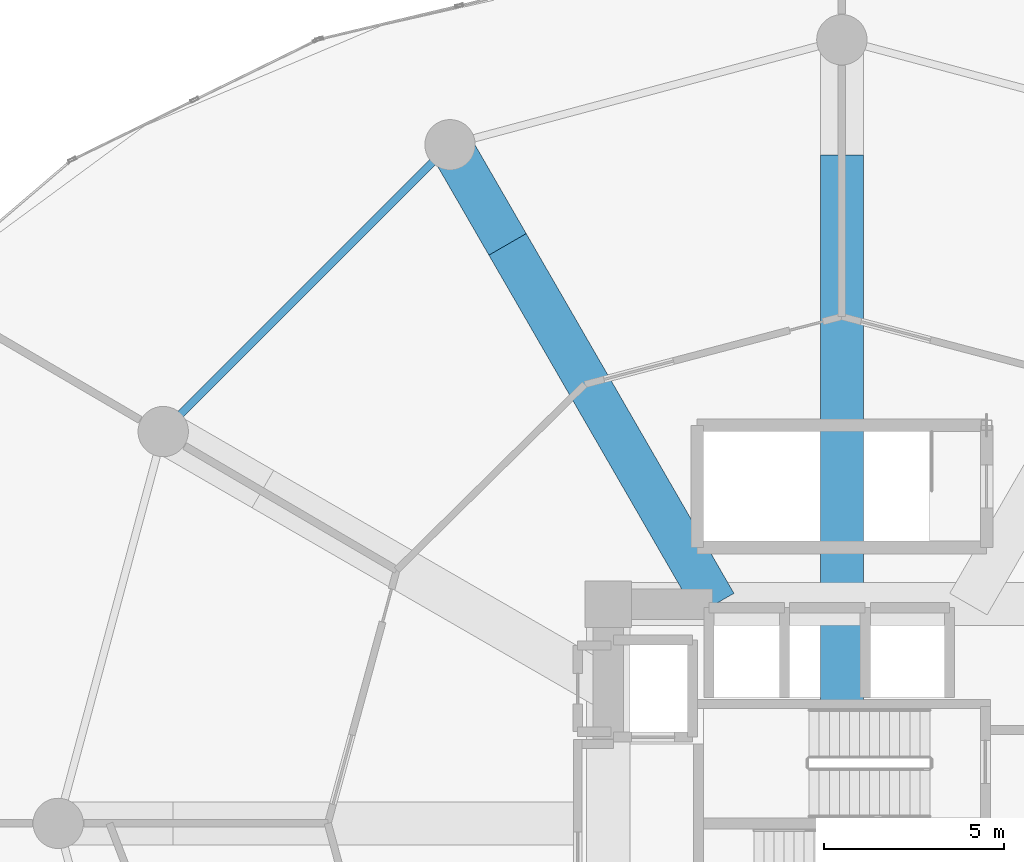
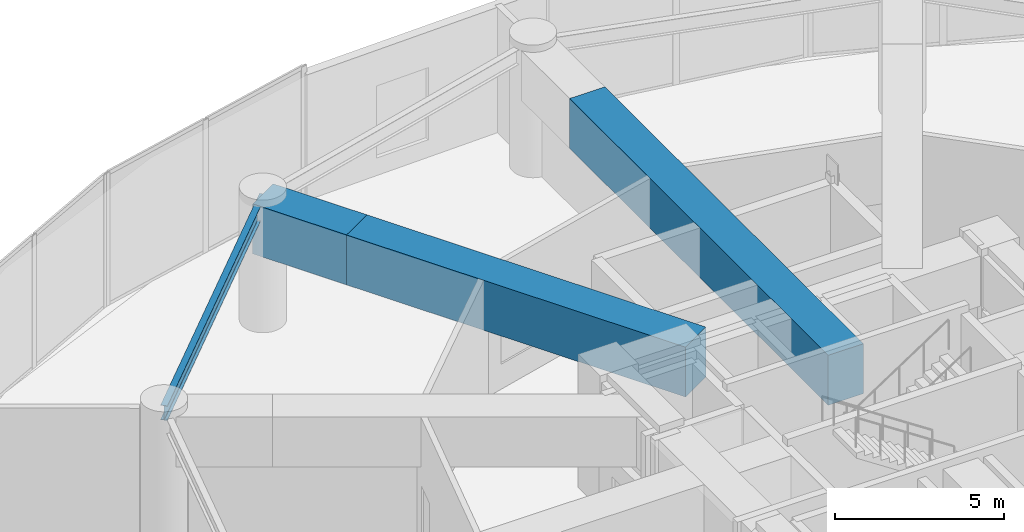
# One storey, part 15 of 27: 4 beams.
"""IFC4 building model written with IfcOpenShell, lengths in metres."""

import ifcopenshell
import ifcopenshell.guid

model = None  # the IFC model being written
_history = None  # IfcOwnerHistory: only IFC2X3 demands one
_inside = {}  # id of a spatial element -> (the spatial element, [elements in it])
_under = {}  # id of a project, library or spatial element -> (it, [spatial elements below it])
_declared = {}  # id of a project -> (the project, [libraries it declares])
_typed = {}  # id of a type object -> (the type object, [elements of that type])
_made_of = {}  # id of a material, layer set ... -> (it, [elements and type objects made of it])


def new_model(schema):
    """Start an empty IFC model of exactly this schema.

    Asked for "IFC4X3", IfcOpenShell would pick the latest addendum, in which some entities
    have other attributes; the version numbers below select the first issue.
    IFC2X3 requires an IfcOwnerHistory on every rooted entity: one is made here for all.
    """
    global model, _history
    if schema == "IFC4X3":
        model = ifcopenshell.file(schema_version=(4, 3, 0, 0))
    else:
        model = ifcopenshell.file(schema=schema)
    _inside.clear()
    _under.clear()
    _declared.clear()
    _typed.clear()
    _made_of.clear()
    _history = None
    if model.schema == "IFC2X3":
        org = make("IfcOrganization", Name="unknown")
        user = make(
            "IfcPersonAndOrganization",
            ThePerson=make("IfcPerson", FamilyName="unknown"),
            TheOrganization=org,
        )
        app = make(
            "IfcApplication",
            ApplicationDeveloper=org,
            Version="unknown",
            ApplicationFullName="unknown",
            ApplicationIdentifier="unknown",
        )
        _history = make(
            "IfcOwnerHistory",
            OwningUser=user,
            OwningApplication=app,
            ChangeAction="ADDED",
            CreationDate=0,
        )
    return model


def make(cls, **values):
    """One entity of the class cls with the attributes given. An attribute that is None is left unset."""
    return model.create_entity(
        cls, **{name: value for name, value in values.items() if value is not None}
    )


def rooted(cls, **values):
    """An entity with a GlobalId (a new one), such as an element, a storey or a relation."""
    return make(cls, GlobalId=ifcopenshell.guid.new(), OwnerHistory=_history, **values)


def si_unit(unit_type, name, prefix=None):
    """IfcSIUnit, for example si_unit("LENGTHUNIT", "METRE", prefix="MILLI")."""
    return make("IfcSIUnit", UnitType=unit_type, Prefix=prefix, Name=name)


def assignment(units):
    """IfcUnitAssignment: the units of a project."""
    return None if units is None else make("IfcUnitAssignment", Units=units)


def point(xyz):
    """IfcCartesianPoint."""
    return None if xyz is None else make("IfcCartesianPoint", Coordinates=xyz)


def direction(xyz):
    """IfcDirection."""
    return None if xyz is None else make("IfcDirection", DirectionRatios=xyz)


def frame(location, z_axis=None, x_axis=None):
    """IfcAxis2Placement3D, a coordinate frame: its origin and axes. An axis left out is left unset."""
    return make(
        "IfcAxis2Placement3D",
        Location=point(location),
        Axis=direction(z_axis),
        RefDirection=direction(x_axis),
    )


def frame_2d(location, x_axis=None):
    """IfcAxis2Placement2D, a coordinate frame in the plane: its origin and x axis."""
    return make(
        "IfcAxis2Placement2D", Location=point(location), RefDirection=direction(x_axis)
    )


def origin():
    """The frame at (0, 0, 0) with its axes left unset."""
    return frame((0.0, 0.0, 0.0))


def origin_2d():
    """The frame at (0, 0) in the plane with its x axis left unset."""
    return frame_2d((0.0, 0.0))


def place(relative_to, where):
    """IfcLocalPlacement: puts the frame where relative to a parent placement (None: the world)."""
    return make(
        "IfcLocalPlacement", PlacementRelTo=relative_to, RelativePlacement=where
    )


def context(
    kind, dimensions, precision=None, world=None, true_north=None, identifier=None
):
    """IfcGeometricRepresentationContext, for example the 3D "Model" context."""
    return make(
        "IfcGeometricRepresentationContext",
        ContextIdentifier=identifier,
        ContextType=kind,
        CoordinateSpaceDimension=dimensions,
        Precision=precision,
        WorldCoordinateSystem=world,
        TrueNorth=true_north,
    )


def subcontext(parent, identifier, kind, view, scale=None):
    """IfcGeometricRepresentationSubContext, for example "Body" below "Model"."""
    return make(
        "IfcGeometricRepresentationSubContext",
        ContextIdentifier=identifier,
        ContextType=kind,
        ParentContext=parent,
        TargetScale=scale,
        TargetView=view,
    )


def project(units=None, contexts=None):
    """IfcProject with its units and contexts."""
    return rooted(
        "IfcProject",
        Name="project",
        RepresentationContexts=contexts,
        UnitsInContext=assignment(units),
    )


def spatial(cls, under=None, at=None, **own):
    """A site, building, storey or space (cls), placed at a placement, below another one or the project."""
    s = rooted(cls, ObjectPlacement=at, **own)
    if under is not None:
        _under.setdefault(under.id(), (under, []))[1].append(s)
    return s


def profile(cls, at=None, kind="AREA", **sizes):
    """A parametric profile (cls). Its sizes go by their IFC names, for example OverallWidth=200.0."""
    return make(cls, ProfileType=kind, Position=at, **sizes)


def rectangle(**sizes):
    """IfcRectangleProfileDef."""
    return profile("IfcRectangleProfileDef", **sizes)


def i_section(**sizes):
    """IfcIShapeProfileDef."""
    return profile("IfcIShapeProfileDef", **sizes)


def extrude(swept, where, along, depth):
    """IfcExtrudedAreaSolid: the profile swept, set in the frame where, extruded along a direction by depth."""
    return make(
        "IfcExtrudedAreaSolid",
        SweptArea=swept,
        Position=where,
        ExtrudedDirection=direction(along),
        Depth=depth,
    )


def shape(context_of_items, identifier, shape_type, items):
    """IfcShapeRepresentation: the items that make up one representation, for example the "Body"."""
    return make(
        "IfcShapeRepresentation",
        ContextOfItems=context_of_items,
        RepresentationIdentifier=identifier,
        RepresentationType=shape_type,
        Items=items,
    )


def material(Name=None, Category=None):
    """IfcMaterial."""
    return make("IfcMaterial", Name=Name, Category=Category)


def material_profile(
    of_material, cross_section, Name=None, Category=None, Priority=None
):
    """IfcMaterialProfile: a cross section and its material."""
    return make(
        "IfcMaterialProfile",
        Name=Name,
        Material=of_material,
        Profile=cross_section,
        Priority=Priority,
        Category=Category,
    )


def profile_set(profiles, Name=None, composite=None):
    """IfcMaterialProfileSet."""
    return make(
        "IfcMaterialProfileSet",
        Name=Name,
        MaterialProfiles=profiles,
        CompositeProfile=composite,
    )


def made_of(thing, what):
    """Note that an element or type object is made of a material, layer set ...; save() writes the relation."""
    if what is not None:
        _made_of.setdefault(what.id(), (what, []))[1].append(thing)
    return thing


def type_object(cls, material=None, **own):
    """A type object (cls), such as IfcWallType, which elements share."""
    return made_of(rooted(cls, **own), material)


def element(
    cls,
    number,
    at=None,
    inside=None,
    cuts=None,
    type_object=None,
    material=None,
    context=None,
    identifier="Body",
    shape_type=None,
    held_by="IfcProductDefinitionShape",
    body=None,
    shapes=None,
    **own,
):
    """One element of the class cls, such as IfcWall. Its Tag is "e" and its number.

    at: its placement. inside: the storey or other place that contains it. cuts: it is an
    opening in that element (IfcRelVoidsElement). A single representation is given by context,
    identifier, shape_type and body (its items); several are given by shapes. held_by: the class
    of the entity that holds the representations. save() writes the other relations.
    """
    e = rooted(cls, Tag="e%d" % number, ObjectPlacement=at, **own)
    if body is not None:
        shapes = [shape(context, identifier, shape_type, body)]
    if shapes is not None:
        e.Representation = make(held_by, Representations=shapes)
    if inside is not None:
        _inside.setdefault(inside.id(), (inside, []))[1].append(e)
    if cuts is not None:
        rooted(
            "IfcRelVoidsElement", RelatingBuildingElement=cuts, RelatedOpeningElement=e
        )
    if type_object is not None:
        _typed.setdefault(type_object.id(), (type_object, []))[1].append(e)
    return made_of(e, material)


def aggregate(whole, parts):
    """IfcRelAggregates: a whole, such as a stair, and the parts it consists of."""
    return rooted("IfcRelAggregates", RelatingObject=whole, RelatedObjects=parts)


def save(model, path):
    """Write the relations noted so far, then the file.

    IfcRelAggregates (storeys below a building ...), IfcRelContainedInSpatialStructure (elements
    in a storey), IfcRelDefinesByType, IfcRelAssociatesMaterial and IfcRelDeclares: one each for
    every whole, place, type object, material and project.
    """
    for whole, parts in _under.values():
        aggregate(whole, parts)
    for where, things in _inside.values():
        rooted(
            "IfcRelContainedInSpatialStructure",
            RelatedElements=things,
            RelatingStructure=where,
        )
    for kind, things in _typed.values():
        rooted("IfcRelDefinesByType", RelatedObjects=things, RelatingType=kind)
    for what, things in _made_of.values():
        rooted("IfcRelAssociatesMaterial", RelatedObjects=things, RelatingMaterial=what)
    for by, libraries in _declared.values():
        rooted("IfcRelDeclares", RelatingContext=by, RelatedDefinitions=libraries)
    model.write(path)


model = new_model("IFC4")

# Units and contexts
model_context = context("Model", 3, precision=1e-05, world=origin(), true_north=direction((0.0, 1.0)))
body_context = subcontext(model_context, "Body", "Model", "MODEL_VIEW")
ifc_project = project(units=[si_unit("LENGTHUNIT", "METRE"), si_unit("AREAUNIT", "SQUARE_METRE"), si_unit("VOLUMEUNIT", "CUBIC_METRE"), si_unit("PLANEANGLEUNIT", "RADIAN"), si_unit("MASSUNIT", "GRAM", prefix="KILO")], contexts=[model_context])

# Site, building, storey
site_placement = place(None, origin())
site = spatial("IfcSite", under=ifc_project, at=site_placement, CompositionType="ELEMENT")
building_placement = place(site_placement, origin())
building = spatial("IfcBuilding", under=site, at=building_placement, Name="Solvirekh Grand Hotel", CompositionType="ELEMENT")
storey_placement = place(building_placement, frame((0.0, 0.0, 23.60009765625)))
storey = spatial("IfcBuildingStorey", under=building, at=storey_placement, Name="L04", CompositionType="ELEMENT", Elevation=23.60009765625)

# Beams
ifc_material_1 = material(Name="Steel S355", Category="steel")
ifc_material_profile_1 = material_profile(ifc_material_1, i_section(OverallWidth=0.208984375, OverallDepth=0.532958984375, WebThickness=0.010009765625, FlangeThickness=0.014892578125, FilletRadius=0.013916015625, at=origin_2d()), Name="W530X92")
ifc_profile_set_1 = profile_set([ifc_material_profile_1], Name="Steel S355")
beam_type_1 = type_object("IfcBeamType", Name="Spandrel_Ring_W530", PredefinedType="SPANDREL", material=ifc_profile_set_1)
beam_1_placement = place(storey_placement, frame((-10.89990234375, 18.87890625, 4.27294921875), z_axis=(-0.707106781187, -0.707106781187, 0.0), x_axis=(0.707106781187, -0.707106781187, 0.0)))
element("IfcBeam", 1, at=beam_1_placement, inside=storey, type_object=beam_type_1, Name="L04 perimeter spandrel beam 5", PredefinedType="SPANDREL", context=body_context, shape_type="SweptSolid", body=[
    extrude(i_section(OverallWidth=0.208984375, OverallDepth=0.532958984375, WebThickness=0.010009765625, FlangeThickness=0.014892578125, FilletRadius=0.013916015625, at=origin_2d()), origin(), (0.0, 0.0, 1.0), 11.283935546875),
])
ifc_material_2 = material(Name="Concrete C60/75", Category="concrete")
ifc_material_profile_2 = material_profile(ifc_material_2, rectangle(XDim=1.199951171875, YDim=1.800048828125, at=origin_2d()), Name="RC GIRDER 1200X1800")
ifc_profile_set_2 = profile_set([ifc_material_profile_2], Name="Concrete C60/75")
beam_type_2 = type_object("IfcBeamType", Name="TransferGirder_RC1800", PredefinedType="USERDEFINED", material=ifc_profile_set_2)
beam_2_placement = place(storey_placement, frame((0.0, 3.324951171875, 3.639892578125), z_axis=(0.0, 1.0, 0.0), x_axis=(-1.0, 0.0, 0.0)))
element("IfcBeam", 2, at=beam_2_placement, inside=storey, type_object=beam_type_2, Name="L04 inner radial transfer girder 4A", ObjectType="TRANSFER GIRDER", PredefinedType="USERDEFINED", context=body_context, shape_type="SweptSolid", body=[
    extrude(rectangle(XDim=1.199951171875, YDim=1.800048828125, at=origin_2d()), origin(), (0.0, 0.0, 1.0), 15.275146484375),
])
beam_3_placement = place(storey_placement, frame((-3.52099609375, 6.10009765625, 3.639892578125), z_axis=(-0.500067459825, 0.865986452333, 0.0), x_axis=(-0.865986452333, -0.500067459825, 0.0)))
element("IfcBeam", 3, at=beam_3_placement, inside=storey, type_object=beam_type_2, Name="L04 inner radial transfer girder 5A", ObjectType="TRANSFER GIRDER", PredefinedType="USERDEFINED", context=body_context, shape_type="SweptSolid", body=[
    extrude(rectangle(XDim=1.199951171875, YDim=1.800048828125, at=origin_2d()), origin(), (0.0, 0.0, 1.0), 11.556640625),
])
beam_4_placement = place(storey_placement, frame((-9.300048828125, 16.10791015625, 3.639892578125), z_axis=(-0.50000426018, 0.866022944154, 0.0), x_axis=(-0.866022944154, -0.50000426018, 0.0)))
element("IfcBeam", 4, at=beam_4_placement, inside=storey, type_object=beam_type_2, Name="L04 outer radial transfer girder 5B", ObjectType="TRANSFER GIRDER", PredefinedType="USERDEFINED", context=body_context, shape_type="SweptSolid", body=[
    extrude(rectangle(XDim=1.199951171875, YDim=1.800048828125, at=origin_2d()), origin(), (0.0, 0.0, 1.0), 3.19970703125),
])

save(model, "model.ifc")
